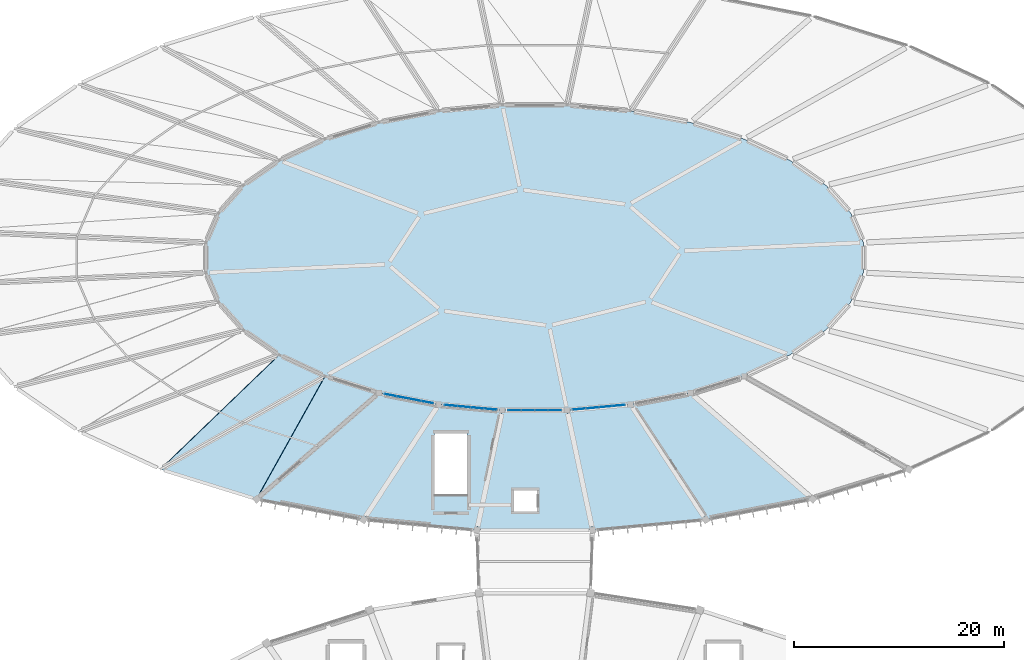
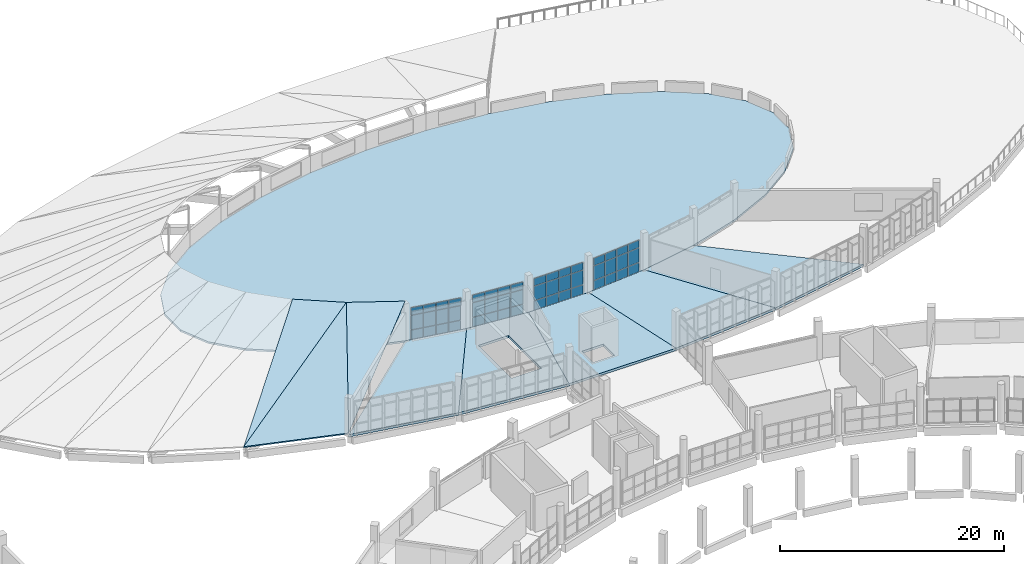
# One storey, part 84 of 142: 48 plates, 9 slabs, 4 elements without a shape of their own.
"""IFC4 building model written with IfcOpenShell, lengths in metres."""

from ifc_helpers import new_model, si_unit, direction, frame, origin, origin_2d, place, context, subcontext, project, spatial, polyline, rectangle, outline, extrude, material, layer, layer_set, type_object, element, aggregate, save


model = new_model("IFC4")

# Units and contexts
model_context = context("Model", 3, precision=1e-05, world=origin(), true_north=direction((0.0, 1.0)))
body_context = subcontext(model_context, "Body", "Model", "MODEL_VIEW")
ifc_project = project(units=[si_unit("LENGTHUNIT", "METRE"), si_unit("AREAUNIT", "SQUARE_METRE"), si_unit("VOLUMEUNIT", "CUBIC_METRE"), si_unit("PLANEANGLEUNIT", "RADIAN"), si_unit("MASSUNIT", "GRAM", prefix="KILO")], contexts=[model_context])

# Site, building, storey
site_placement = place(None, origin())
site = spatial("IfcSite", under=ifc_project, at=site_placement, CompositionType="ELEMENT")
building_placement = place(site_placement, origin())
building = spatial("IfcBuilding", under=site, at=building_placement, Name="Corvandel Quay Wholesale Market", CompositionType="ELEMENT")
storey_placement = place(building_placement, frame((0.0, 0.0, 10.800048828125)))
storey = spatial("IfcBuildingStorey", under=building, at=storey_placement, Name="L02", CompositionType="ELEMENT", Elevation=10.800048828125)

# Curtain wall, plates
ifc_material_1 = material(Name="Bronze anodised aluminium and low-E insulated glazing", Category="aluminium")
ifc_layer_1 = layer(ifc_material_1, 0.174072265625)
ifc_layer_set_1 = layer_set([ifc_layer_1], Name="Bronze anodised aluminium and low-E insulated glazing")
curtain_wall_type_1 = type_object("IfcCurtainWallType", Name="Stick Curtain Wall System CW07 H3630", PredefinedType="NOTDEFINED", material=ifc_layer_set_1)
curtain_wall_1_placement = place(storey_placement, origin())
curtain_wall_1 = element("IfcCurtainWall", 1, at=curtain_wall_1_placement, inside=storey, type_object=curtain_wall_type_1, Name="Curtain Wall CW-0111", PredefinedType="NOTDEFINED")
ifc_material_2 = material(Name="Solar-control low-E insulated glazing", Category="glass")
ifc_layer_2 = layer(ifc_material_2, 0.0400390625)
ifc_layer_set_2 = layer_set([ifc_layer_2], Name="Solar-control low-E insulated glazing")
plate_type_1 = type_object("IfcPlateType", Name="Ceramic Fritted Spandrel Panel PN03 40mm", PredefinedType="CURTAIN_PANEL", material=ifc_layer_set_2)
plate_1_placement = place(storey_placement, frame((100.248779296875, 102.884765625, 2.679931640625), z_axis=(0.0, 0.0, 1.0), x_axis=(-0.982024659632, 0.188752663223, 0.0)))
plate_1 = element("IfcPlate", 2, at=plate_1_placement, type_object=plate_type_1, Name="Glazing Panel CW-0111-P00-2", PredefinedType="CURTAIN_PANEL", context=body_context, shape_type="SweptSolid", body=[
    extrude(rectangle(XDim=1.123046875, YDim=0.0400390625, at=origin_2d()), origin(), (0.0, 0.0, 1.0), 0.7900390625),
])
plate_2_placement = place(storey_placement, frame((101.41552734375, 102.66064453125, 2.679931640625), z_axis=(0.0, 0.0, 1.0), x_axis=(-0.982024659632, 0.188752663223, 0.0)))
plate_2 = element("IfcPlate", 3, at=plate_2_placement, type_object=plate_type_1, Name="Glazing Panel CW-0111-P01-2", PredefinedType="CURTAIN_PANEL", context=body_context, shape_type="SweptSolid", body=[
    extrude(rectangle(XDim=1.123046875, YDim=0.0400390625, at=origin_2d()), origin(), (0.0, 0.0, 1.0), 0.7900390625),
])
plate_3_placement = place(storey_placement, frame((102.58251953125, 102.436279296875, 2.679931640625), z_axis=(0.0, 0.0, 1.0), x_axis=(-0.982024659632, 0.188752663223, 0.0)))
plate_3 = element("IfcPlate", 4, at=plate_3_placement, type_object=plate_type_1, Name="Glazing Panel CW-0111-P02-2", PredefinedType="CURTAIN_PANEL", context=body_context, shape_type="SweptSolid", body=[
    extrude(rectangle(XDim=1.123046875, YDim=0.0400390625, at=origin_2d()), origin(), (0.0, 0.0, 1.0), 0.7900390625),
])
plate_4_placement = place(storey_placement, frame((103.7490234375, 102.212158203125, 2.679931640625), z_axis=(0.0, 0.0, 1.0), x_axis=(-0.982024659632, 0.188752663223, 0.0)))
plate_4 = element("IfcPlate", 5, at=plate_4_placement, type_object=plate_type_1, Name="Glazing Panel CW-0111-P03-2", PredefinedType="CURTAIN_PANEL", context=body_context, shape_type="SweptSolid", body=[
    extrude(rectangle(XDim=1.123046875, YDim=0.0400390625, at=origin_2d()), origin(), (0.0, 0.0, 1.0), 0.7900390625),
])

ifc_layer_3 = layer(ifc_material_1, 0.18603515625)
ifc_layer_set_3 = layer_set([ifc_layer_3], Name="Bronze anodised aluminium and low-E insulated glazing")
curtain_wall_type_2 = type_object("IfcCurtainWallType", Name="Stick Curtain Wall System CW08 H3720", PredefinedType="NOTDEFINED", material=ifc_layer_set_3)
curtain_wall_2_placement = place(storey_placement, origin())
curtain_wall_2 = element("IfcCurtainWall", 6, at=curtain_wall_2_placement, inside=storey, type_object=curtain_wall_type_2, Name="Curtain Wall CW-0114", PredefinedType="NOTDEFINED")
plate_5_placement = place(storey_placement, frame((106.006103515625, 101.893310546875, 2.679931640625), z_axis=(0.0, 0.0, 1.0), x_axis=(-0.995756880939, 0.092023008338, 0.0)))
plate_5 = element("IfcPlate", 7, at=plate_5_placement, type_object=plate_type_1, Name="Glazing Panel CW-0114-P00-2", PredefinedType="CURTAIN_PANEL", context=body_context, shape_type="SweptSolid", body=[
    extrude(rectangle(XDim=1.19091796875, YDim=0.0400390625, at=origin_2d()), origin(), (0.0, 0.0, 1.0), 0.7900390625),
])
plate_6_placement = place(storey_placement, frame((107.256591796875, 101.77783203125, 2.679931640625), z_axis=(0.0, 0.0, 1.0), x_axis=(-0.995756880939, 0.092023008338, 0.0)))
plate_6 = element("IfcPlate", 8, at=plate_6_placement, type_object=plate_type_1, Name="Glazing Panel CW-0114-P01-2", PredefinedType="CURTAIN_PANEL", context=body_context, shape_type="SweptSolid", body=[
    extrude(rectangle(XDim=1.19091796875, YDim=0.0400390625, at=origin_2d()), origin(), (0.0, 0.0, 1.0), 0.7900390625),
])
plate_7_placement = place(storey_placement, frame((108.50732421875, 101.662109375, 2.679931640625), z_axis=(0.0, 0.0, 1.0), x_axis=(-0.995756880939, 0.092023008338, 0.0)))
plate_7 = element("IfcPlate", 9, at=plate_7_placement, type_object=plate_type_1, Name="Glazing Panel CW-0114-P02-2", PredefinedType="CURTAIN_PANEL", context=body_context, shape_type="SweptSolid", body=[
    extrude(rectangle(XDim=1.19091796875, YDim=0.0400390625, at=origin_2d()), origin(), (0.0, 0.0, 1.0), 0.7900390625),
])
plate_8_placement = place(storey_placement, frame((109.758056640625, 101.546630859375, 2.679931640625), z_axis=(0.0, 0.0, 1.0), x_axis=(-0.995756880939, 0.092023008338, 0.0)))
plate_8 = element("IfcPlate", 10, at=plate_8_placement, type_object=plate_type_1, Name="Glazing Panel CW-0114-P03-2", PredefinedType="CURTAIN_PANEL", context=body_context, shape_type="SweptSolid", body=[
    extrude(rectangle(XDim=1.19091796875, YDim=0.0400390625, at=origin_2d()), origin(), (0.0, 0.0, 1.0), 0.7900390625),
])

ifc_layer_4 = layer(ifc_material_1, 0.197998046875)
ifc_layer_set_4 = layer_set([ifc_layer_4], Name="Bronze anodised aluminium and low-E insulated glazing")
curtain_wall_type_3 = type_object("IfcCurtainWallType", Name="Stick Curtain Wall System CW09 H3810", PredefinedType="NOTDEFINED", material=ifc_layer_set_4)
curtain_wall_3_placement = place(storey_placement, origin())
curtain_wall_3 = element("IfcCurtainWall", 11, at=curtain_wall_3_placement, inside=storey, type_object=curtain_wall_type_3, Name="Curtain Wall CW-0115", PredefinedType="NOTDEFINED")
plate_9_placement = place(storey_placement, frame((112.080810546875, 101.43994140625, 2.679931640625), z_axis=(0.0, 0.0, 1.0), x_axis=(1.0, 0.0, 0.0)))
plate_9 = element("IfcPlate", 12, at=plate_9_placement, type_object=plate_type_1, Name="Glazing Panel CW-0115-P00-2", PredefinedType="CURTAIN_PANEL", context=body_context, shape_type="SweptSolid", body=[
    extrude(rectangle(XDim=1.214599609375, YDim=0.0400390625, at=origin_2d()), origin(), (0.0, 0.0, 1.0), 0.7900390625),
])
plate_10_placement = place(storey_placement, frame((113.3603515625, 101.43994140625, 2.679931640625), z_axis=(0.0, 0.0, 1.0), x_axis=(1.0, 0.0, 0.0)))
plate_10 = element("IfcPlate", 13, at=plate_10_placement, type_object=plate_type_1, Name="Glazing Panel CW-0115-P01-2", PredefinedType="CURTAIN_PANEL", context=body_context, shape_type="SweptSolid", body=[
    extrude(rectangle(XDim=1.214599609375, YDim=0.0400390625, at=origin_2d()), origin(), (0.0, 0.0, 1.0), 0.7900390625),
])
plate_11_placement = place(storey_placement, frame((114.6396484375, 101.43994140625, 2.679931640625), z_axis=(0.0, 0.0, 1.0), x_axis=(1.0, 0.0, 0.0)))
plate_11 = element("IfcPlate", 14, at=plate_11_placement, type_object=plate_type_1, Name="Glazing Panel CW-0115-P02-2", PredefinedType="CURTAIN_PANEL", context=body_context, shape_type="SweptSolid", body=[
    extrude(rectangle(XDim=1.214599609375, YDim=0.0400390625, at=origin_2d()), origin(), (0.0, 0.0, 1.0), 0.7900390625),
])
plate_12_placement = place(storey_placement, frame((115.919189453125, 101.43994140625, 2.679931640625), z_axis=(0.0, 0.0, 1.0), x_axis=(1.0, 0.0, 0.0)))
plate_12 = element("IfcPlate", 15, at=plate_12_placement, type_object=plate_type_1, Name="Glazing Panel CW-0115-P03-2", PredefinedType="CURTAIN_PANEL", context=body_context, shape_type="SweptSolid", body=[
    extrude(rectangle(XDim=1.214599609375, YDim=0.0400390625, at=origin_2d()), origin(), (0.0, 0.0, 1.0), 0.7900390625),
])

ifc_layer_5 = layer(ifc_material_1, 0.14990234375)
ifc_layer_set_5 = layer_set([ifc_layer_5], Name="Bronze anodised aluminium and low-E insulated glazing")
curtain_wall_type_4 = type_object("IfcCurtainWallType", Name="Stick Curtain Wall System CW10 H3900", PredefinedType="NOTDEFINED", material=ifc_layer_set_5)
curtain_wall_4_placement = place(storey_placement, origin())
curtain_wall_4 = element("IfcCurtainWall", 16, at=curtain_wall_4_placement, inside=storey, type_object=curtain_wall_type_4, Name="Curtain Wall CW-0118", PredefinedType="NOTDEFINED")
plate_13_placement = place(storey_placement, frame((118.241943359375, 101.546630859375, 2.679931640625), z_axis=(0.0, 0.0, 1.0), x_axis=(0.995756880939, 0.092023008338, 0.0)))
plate_13 = element("IfcPlate", 17, at=plate_13_placement, type_object=plate_type_1, Name="Glazing Panel CW-0118-P00-2", PredefinedType="CURTAIN_PANEL", context=body_context, shape_type="SweptSolid", body=[
    extrude(rectangle(XDim=1.19091796875, YDim=0.0400390625, at=origin_2d()), origin(), (0.0, 0.0, 1.0), 0.7900390625),
])
plate_14_placement = place(storey_placement, frame((119.49267578125, 101.662109375, 2.679931640625), z_axis=(0.0, 0.0, 1.0), x_axis=(0.995756880939, 0.092023008338, 0.0)))
plate_14 = element("IfcPlate", 18, at=plate_14_placement, type_object=plate_type_1, Name="Glazing Panel CW-0118-P01-2", PredefinedType="CURTAIN_PANEL", context=body_context, shape_type="SweptSolid", body=[
    extrude(rectangle(XDim=1.19091796875, YDim=0.0400390625, at=origin_2d()), origin(), (0.0, 0.0, 1.0), 0.7900390625),
])
plate_15_placement = place(storey_placement, frame((120.743408203125, 101.77783203125, 2.679931640625), z_axis=(0.0, 0.0, 1.0), x_axis=(0.995756880939, 0.092023008338, 0.0)))
plate_15 = element("IfcPlate", 19, at=plate_15_placement, type_object=plate_type_1, Name="Glazing Panel CW-0118-P02-2", PredefinedType="CURTAIN_PANEL", context=body_context, shape_type="SweptSolid", body=[
    extrude(rectangle(XDim=1.19091796875, YDim=0.0400390625, at=origin_2d()), origin(), (0.0, 0.0, 1.0), 0.7900390625),
])
plate_16_placement = place(storey_placement, frame((121.993896484375, 101.893310546875, 2.679931640625), z_axis=(0.0, 0.0, 1.0), x_axis=(0.995756880939, 0.092023008338, 0.0)))
plate_16 = element("IfcPlate", 20, at=plate_16_placement, type_object=plate_type_1, Name="Glazing Panel CW-0118-P03-2", PredefinedType="CURTAIN_PANEL", context=body_context, shape_type="SweptSolid", body=[
    extrude(rectangle(XDim=1.19091796875, YDim=0.0400390625, at=origin_2d()), origin(), (0.0, 0.0, 1.0), 0.7900390625),
])

# Slabs
ifc_material_3 = material(Name="Concrete C40/50", Category="concrete")
ifc_layer_6 = layer(ifc_material_3, 0.260009765625)
ifc_layer_set_6 = layer_set([ifc_layer_6], Name="Concrete C40/50")
slab_type_1 = type_object("IfcSlabType", Name="Composite Market Canteen Floor Slab 260", PredefinedType="FLOOR", material=ifc_layer_set_6)
slab_1_placement = place(storey_placement, frame((0.0, 0.0, -0.260009765625)))
element("IfcSlab", 21, at=slab_1_placement, inside=storey, type_object=slab_type_1, Name="Slab SLB-0328", PredefinedType="FLOOR", context=body_context, shape_type="SweptSolid", body=[
    extrude(outline(polyline([(99.14501953125, 103.096923828125), (104.85302734375, 102.0), (97.6650390625, 90.9990234375), (87.47412109375, 92.958984375), (99.14501953125, 103.096923828125)])), origin(), (0.0, 0.0, 1.0), 0.260009765625),
])
slab_2_placement = place(storey_placement, frame((0.0, 0.0, -0.260009765625)))
element("IfcSlab", 22, at=slab_2_placement, inside=storey, type_object=slab_type_1, Name="Slab SLB-0334", PredefinedType="FLOOR", context=body_context, shape_type="SweptSolid", body=[
    extrude(outline(polyline([(104.85302734375, 102.0), (110.910888671875, 101.43994140625), (108.48388671875, 90.0), (97.6650390625, 90.9990234375), (104.85302734375, 102.0)]), holes=[polyline([(107.550048828125, 99.199951171875), (104.449951171875, 99.199951171875), (104.449951171875, 93.300048828125), (107.550048828125, 93.300048828125), (107.550048828125, 99.199951171875)])]), origin(), (0.0, 0.0, 1.0), 0.260009765625),
])
slab_3_placement = place(storey_placement, frame((0.0, 0.0, -0.260009765625)))
element("IfcSlab", 23, at=slab_3_placement, inside=storey, type_object=slab_type_1, Name="Slab SLB-0340", PredefinedType="FLOOR", context=body_context, shape_type="SweptSolid", body=[
    extrude(outline(polyline([(110.910888671875, 101.43994140625), (117.089111328125, 101.43994140625), (119.51611328125, 90.0), (108.48388671875, 90.0), (110.910888671875, 101.43994140625)]), holes=[polyline([(114.199951171875, 93.800048828125), (112.0, 93.800048828125), (112.0, 91.800048828125), (114.199951171875, 91.800048828125), (114.199951171875, 93.800048828125)])]), origin(), (0.0, 0.0, 1.0), 0.260009765625),
])
slab_4_placement = place(storey_placement, frame((0.0, 0.0, -0.260009765625)))
element("IfcSlab", 24, at=slab_4_placement, inside=storey, type_object=slab_type_1, Name="Slab SLB-0346", PredefinedType="FLOOR", context=body_context, shape_type="SweptSolid", body=[
    extrude(outline(polyline([(117.089111328125, 101.43994140625), (123.14697265625, 102.0), (130.3349609375, 90.9990234375), (119.51611328125, 90.0), (117.089111328125, 101.43994140625)])), origin(), (0.0, 0.0, 1.0), 0.260009765625),
])
slab_5_placement = place(storey_placement, frame((0.0, 0.0, -0.260009765625)))
element("IfcSlab", 25, at=slab_5_placement, inside=storey, type_object=slab_type_1, Name="Slab SLB-0352", PredefinedType="FLOOR", context=body_context, shape_type="SweptSolid", body=[
    extrude(outline(polyline([(123.14697265625, 102.0), (128.85498046875, 103.096923828125), (140.52587890625, 92.958984375), (130.3349609375, 90.9990234375), (123.14697265625, 102.0)])), origin(), (0.0, 0.0, 1.0), 0.260009765625),
])

# Plate
ifc_layer_7 = layer(ifc_material_2, 0.028076171875)
ifc_layer_set_7 = layer_set([ifc_layer_7], Name="Solar-control low-E insulated glazing")
plate_type_2 = type_object("IfcPlateType", Name="Double Low-E Vision Panel PN01 28mm", PredefinedType="CURTAIN_PANEL", material=ifc_layer_set_7)
plate_17_placement = place(storey_placement, frame((100.248779296875, 102.884765625, 0.02978515625), z_axis=(0.0, 0.0, 1.0), x_axis=(-0.982024659632, 0.188752663223, 0.0)))
plate_17 = element("IfcPlate", 26, at=plate_17_placement, type_object=plate_type_2, Name="Glazing Panel CW-0111-P00-0", PredefinedType="CURTAIN_PANEL", context=body_context, shape_type="SweptSolid", body=[
    extrude(rectangle(XDim=1.123046875, YDim=0.028076171875, at=origin_2d()), origin(), (0.0, 0.0, 1.0), 0.989990234375),
])

plate_18_placement = place(storey_placement, frame((100.248779296875, 102.884765625, 1.079833984375), z_axis=(0.0, 0.0, 1.0), x_axis=(-0.982024659632, 0.188752663223, 0.0)))
plate_18 = element("IfcPlate", 27, at=plate_18_placement, type_object=plate_type_2, Name="Glazing Panel CW-0111-P00-1", PredefinedType="CURTAIN_PANEL", context=body_context, shape_type="SweptSolid", body=[
    extrude(rectangle(XDim=1.123046875, YDim=0.028076171875, at=origin_2d()), origin(), (0.0, 0.0, 1.0), 1.5400390625),
])

plate_19_placement = place(storey_placement, frame((101.41552734375, 102.66064453125, 0.02978515625), z_axis=(0.0, 0.0, 1.0), x_axis=(-0.982024659632, 0.188752663223, 0.0)))
plate_19 = element("IfcPlate", 28, at=plate_19_placement, type_object=plate_type_2, Name="Glazing Panel CW-0111-P01-0", PredefinedType="CURTAIN_PANEL", context=body_context, shape_type="SweptSolid", body=[
    extrude(rectangle(XDim=1.123046875, YDim=0.028076171875, at=origin_2d()), origin(), (0.0, 0.0, 1.0), 0.989990234375),
])

plate_20_placement = place(storey_placement, frame((101.41552734375, 102.66064453125, 1.079833984375), z_axis=(0.0, 0.0, 1.0), x_axis=(-0.982024659632, 0.188752663223, 0.0)))
plate_20 = element("IfcPlate", 29, at=plate_20_placement, type_object=plate_type_2, Name="Glazing Panel CW-0111-P01-1", PredefinedType="CURTAIN_PANEL", context=body_context, shape_type="SweptSolid", body=[
    extrude(rectangle(XDim=1.123046875, YDim=0.028076171875, at=origin_2d()), origin(), (0.0, 0.0, 1.0), 1.5400390625),
])

plate_21_placement = place(storey_placement, frame((102.58251953125, 102.436279296875, 0.02978515625), z_axis=(0.0, 0.0, 1.0), x_axis=(-0.982024659632, 0.188752663223, 0.0)))
plate_21 = element("IfcPlate", 30, at=plate_21_placement, type_object=plate_type_2, Name="Glazing Panel CW-0111-P02-0", PredefinedType="CURTAIN_PANEL", context=body_context, shape_type="SweptSolid", body=[
    extrude(rectangle(XDim=1.123046875, YDim=0.028076171875, at=origin_2d()), origin(), (0.0, 0.0, 1.0), 0.989990234375),
])

plate_22_placement = place(storey_placement, frame((102.58251953125, 102.436279296875, 1.079833984375), z_axis=(0.0, 0.0, 1.0), x_axis=(-0.982024659632, 0.188752663223, 0.0)))
plate_22 = element("IfcPlate", 31, at=plate_22_placement, type_object=plate_type_2, Name="Glazing Panel CW-0111-P02-1", PredefinedType="CURTAIN_PANEL", context=body_context, shape_type="SweptSolid", body=[
    extrude(rectangle(XDim=1.123046875, YDim=0.028076171875, at=origin_2d()), origin(), (0.0, 0.0, 1.0), 1.5400390625),
])

plate_23_placement = place(storey_placement, frame((103.7490234375, 102.212158203125, 0.02978515625), z_axis=(0.0, 0.0, 1.0), x_axis=(-0.982024659632, 0.188752663223, 0.0)))
plate_23 = element("IfcPlate", 32, at=plate_23_placement, type_object=plate_type_2, Name="Glazing Panel CW-0111-P03-0", PredefinedType="CURTAIN_PANEL", context=body_context, shape_type="SweptSolid", body=[
    extrude(rectangle(XDim=1.123046875, YDim=0.028076171875, at=origin_2d()), origin(), (0.0, 0.0, 1.0), 0.989990234375),
])

plate_24_placement = place(storey_placement, frame((103.7490234375, 102.212158203125, 1.079833984375), z_axis=(0.0, 0.0, 1.0), x_axis=(-0.982024659632, 0.188752663223, 0.0)))
plate_24 = element("IfcPlate", 33, at=plate_24_placement, type_object=plate_type_2, Name="Glazing Panel CW-0111-P03-1", PredefinedType="CURTAIN_PANEL", context=body_context, shape_type="SweptSolid", body=[
    extrude(rectangle(XDim=1.123046875, YDim=0.028076171875, at=origin_2d()), origin(), (0.0, 0.0, 1.0), 1.5400390625),
])

aggregate(curtain_wall_1, [plate_17, plate_18, plate_1, plate_19, plate_20, plate_2, plate_21, plate_22, plate_3, plate_23, plate_24, plate_4])

plate_25_placement = place(storey_placement, frame((106.006103515625, 101.893310546875, 0.02978515625), z_axis=(0.0, 0.0, 1.0), x_axis=(-0.995756880939, 0.092023008338, 0.0)))
plate_25 = element("IfcPlate", 34, at=plate_25_placement, type_object=plate_type_2, Name="Glazing Panel CW-0114-P00-0", PredefinedType="CURTAIN_PANEL", context=body_context, shape_type="SweptSolid", body=[
    extrude(rectangle(XDim=1.19091796875, YDim=0.028076171875, at=origin_2d()), origin(), (0.0, 0.0, 1.0), 0.989990234375),
])

plate_26_placement = place(storey_placement, frame((106.006103515625, 101.893310546875, 1.079833984375), z_axis=(0.0, 0.0, 1.0), x_axis=(-0.995756880939, 0.092023008338, 0.0)))
plate_26 = element("IfcPlate", 35, at=plate_26_placement, type_object=plate_type_2, Name="Glazing Panel CW-0114-P00-1", PredefinedType="CURTAIN_PANEL", context=body_context, shape_type="SweptSolid", body=[
    extrude(rectangle(XDim=1.19091796875, YDim=0.028076171875, at=origin_2d()), origin(), (0.0, 0.0, 1.0), 1.5400390625),
])

plate_27_placement = place(storey_placement, frame((107.256591796875, 101.77783203125, 0.02978515625), z_axis=(0.0, 0.0, 1.0), x_axis=(-0.995756880939, 0.092023008338, 0.0)))
plate_27 = element("IfcPlate", 36, at=plate_27_placement, type_object=plate_type_2, Name="Glazing Panel CW-0114-P01-0", PredefinedType="CURTAIN_PANEL", context=body_context, shape_type="SweptSolid", body=[
    extrude(rectangle(XDim=1.19091796875, YDim=0.028076171875, at=origin_2d()), origin(), (0.0, 0.0, 1.0), 0.989990234375),
])

plate_28_placement = place(storey_placement, frame((107.256591796875, 101.77783203125, 1.079833984375), z_axis=(0.0, 0.0, 1.0), x_axis=(-0.995756880939, 0.092023008338, 0.0)))
plate_28 = element("IfcPlate", 37, at=plate_28_placement, type_object=plate_type_2, Name="Glazing Panel CW-0114-P01-1", PredefinedType="CURTAIN_PANEL", context=body_context, shape_type="SweptSolid", body=[
    extrude(rectangle(XDim=1.19091796875, YDim=0.028076171875, at=origin_2d()), origin(), (0.0, 0.0, 1.0), 1.5400390625),
])

plate_29_placement = place(storey_placement, frame((108.50732421875, 101.662109375, 0.02978515625), z_axis=(0.0, 0.0, 1.0), x_axis=(-0.995756880939, 0.092023008338, 0.0)))
plate_29 = element("IfcPlate", 38, at=plate_29_placement, type_object=plate_type_2, Name="Glazing Panel CW-0114-P02-0", PredefinedType="CURTAIN_PANEL", context=body_context, shape_type="SweptSolid", body=[
    extrude(rectangle(XDim=1.19091796875, YDim=0.028076171875, at=origin_2d()), origin(), (0.0, 0.0, 1.0), 0.989990234375),
])

plate_30_placement = place(storey_placement, frame((108.50732421875, 101.662109375, 1.079833984375), z_axis=(0.0, 0.0, 1.0), x_axis=(-0.995756880939, 0.092023008338, 0.0)))
plate_30 = element("IfcPlate", 39, at=plate_30_placement, type_object=plate_type_2, Name="Glazing Panel CW-0114-P02-1", PredefinedType="CURTAIN_PANEL", context=body_context, shape_type="SweptSolid", body=[
    extrude(rectangle(XDim=1.19091796875, YDim=0.028076171875, at=origin_2d()), origin(), (0.0, 0.0, 1.0), 1.5400390625),
])

plate_31_placement = place(storey_placement, frame((109.758056640625, 101.546630859375, 0.02978515625), z_axis=(0.0, 0.0, 1.0), x_axis=(-0.995756880939, 0.092023008338, 0.0)))
plate_31 = element("IfcPlate", 40, at=plate_31_placement, type_object=plate_type_2, Name="Glazing Panel CW-0114-P03-0", PredefinedType="CURTAIN_PANEL", context=body_context, shape_type="SweptSolid", body=[
    extrude(rectangle(XDim=1.19091796875, YDim=0.028076171875, at=origin_2d()), origin(), (0.0, 0.0, 1.0), 0.989990234375),
])

plate_32_placement = place(storey_placement, frame((109.758056640625, 101.546630859375, 1.079833984375), z_axis=(0.0, 0.0, 1.0), x_axis=(-0.995756880939, 0.092023008338, 0.0)))
plate_32 = element("IfcPlate", 41, at=plate_32_placement, type_object=plate_type_2, Name="Glazing Panel CW-0114-P03-1", PredefinedType="CURTAIN_PANEL", context=body_context, shape_type="SweptSolid", body=[
    extrude(rectangle(XDim=1.19091796875, YDim=0.028076171875, at=origin_2d()), origin(), (0.0, 0.0, 1.0), 1.5400390625),
])

aggregate(curtain_wall_2, [plate_25, plate_26, plate_5, plate_27, plate_28, plate_6, plate_29, plate_30, plate_7, plate_31, plate_32, plate_8])

plate_33_placement = place(storey_placement, frame((112.080810546875, 101.43994140625, 0.02978515625), z_axis=(0.0, 0.0, 1.0), x_axis=(1.0, 0.0, 0.0)))
plate_33 = element("IfcPlate", 42, at=plate_33_placement, type_object=plate_type_2, Name="Glazing Panel CW-0115-P00-0", PredefinedType="CURTAIN_PANEL", context=body_context, shape_type="SweptSolid", body=[
    extrude(rectangle(XDim=1.214599609375, YDim=0.028076171875, at=origin_2d()), origin(), (0.0, 0.0, 1.0), 0.989990234375),
])

plate_34_placement = place(storey_placement, frame((112.080810546875, 101.43994140625, 1.079833984375), z_axis=(0.0, 0.0, 1.0), x_axis=(1.0, 0.0, 0.0)))
plate_34 = element("IfcPlate", 43, at=plate_34_placement, type_object=plate_type_2, Name="Glazing Panel CW-0115-P00-1", PredefinedType="CURTAIN_PANEL", context=body_context, shape_type="SweptSolid", body=[
    extrude(rectangle(XDim=1.214599609375, YDim=0.028076171875, at=origin_2d()), origin(), (0.0, 0.0, 1.0), 1.5400390625),
])

plate_35_placement = place(storey_placement, frame((113.3603515625, 101.43994140625, 0.02978515625), z_axis=(0.0, 0.0, 1.0), x_axis=(1.0, 0.0, 0.0)))
plate_35 = element("IfcPlate", 44, at=plate_35_placement, type_object=plate_type_2, Name="Glazing Panel CW-0115-P01-0", PredefinedType="CURTAIN_PANEL", context=body_context, shape_type="SweptSolid", body=[
    extrude(rectangle(XDim=1.214599609375, YDim=0.028076171875, at=origin_2d()), origin(), (0.0, 0.0, 1.0), 0.989990234375),
])

plate_36_placement = place(storey_placement, frame((113.3603515625, 101.43994140625, 1.079833984375), z_axis=(0.0, 0.0, 1.0), x_axis=(1.0, 0.0, 0.0)))
plate_36 = element("IfcPlate", 45, at=plate_36_placement, type_object=plate_type_2, Name="Glazing Panel CW-0115-P01-1", PredefinedType="CURTAIN_PANEL", context=body_context, shape_type="SweptSolid", body=[
    extrude(rectangle(XDim=1.214599609375, YDim=0.028076171875, at=origin_2d()), origin(), (0.0, 0.0, 1.0), 1.5400390625),
])

plate_37_placement = place(storey_placement, frame((114.6396484375, 101.43994140625, 0.02978515625), z_axis=(0.0, 0.0, 1.0), x_axis=(1.0, 0.0, 0.0)))
plate_37 = element("IfcPlate", 46, at=plate_37_placement, type_object=plate_type_2, Name="Glazing Panel CW-0115-P02-0", PredefinedType="CURTAIN_PANEL", context=body_context, shape_type="SweptSolid", body=[
    extrude(rectangle(XDim=1.214599609375, YDim=0.028076171875, at=origin_2d()), origin(), (0.0, 0.0, 1.0), 0.989990234375),
])

plate_38_placement = place(storey_placement, frame((114.6396484375, 101.43994140625, 1.079833984375), z_axis=(0.0, 0.0, 1.0), x_axis=(1.0, 0.0, 0.0)))
plate_38 = element("IfcPlate", 47, at=plate_38_placement, type_object=plate_type_2, Name="Glazing Panel CW-0115-P02-1", PredefinedType="CURTAIN_PANEL", context=body_context, shape_type="SweptSolid", body=[
    extrude(rectangle(XDim=1.214599609375, YDim=0.028076171875, at=origin_2d()), origin(), (0.0, 0.0, 1.0), 1.5400390625),
])

plate_39_placement = place(storey_placement, frame((115.919189453125, 101.43994140625, 0.02978515625), z_axis=(0.0, 0.0, 1.0), x_axis=(1.0, 0.0, 0.0)))
plate_39 = element("IfcPlate", 48, at=plate_39_placement, type_object=plate_type_2, Name="Glazing Panel CW-0115-P03-0", PredefinedType="CURTAIN_PANEL", context=body_context, shape_type="SweptSolid", body=[
    extrude(rectangle(XDim=1.214599609375, YDim=0.028076171875, at=origin_2d()), origin(), (0.0, 0.0, 1.0), 0.989990234375),
])

plate_40_placement = place(storey_placement, frame((115.919189453125, 101.43994140625, 1.079833984375), z_axis=(0.0, 0.0, 1.0), x_axis=(1.0, 0.0, 0.0)))
plate_40 = element("IfcPlate", 49, at=plate_40_placement, type_object=plate_type_2, Name="Glazing Panel CW-0115-P03-1", PredefinedType="CURTAIN_PANEL", context=body_context, shape_type="SweptSolid", body=[
    extrude(rectangle(XDim=1.214599609375, YDim=0.028076171875, at=origin_2d()), origin(), (0.0, 0.0, 1.0), 1.5400390625),
])

aggregate(curtain_wall_3, [plate_33, plate_34, plate_9, plate_35, plate_36, plate_10, plate_37, plate_38, plate_11, plate_39, plate_40, plate_12])

plate_41_placement = place(storey_placement, frame((118.241943359375, 101.546630859375, 0.02978515625), z_axis=(0.0, 0.0, 1.0), x_axis=(0.995756880939, 0.092023008338, 0.0)))
plate_41 = element("IfcPlate", 50, at=plate_41_placement, type_object=plate_type_2, Name="Glazing Panel CW-0118-P00-0", PredefinedType="CURTAIN_PANEL", context=body_context, shape_type="SweptSolid", body=[
    extrude(rectangle(XDim=1.19091796875, YDim=0.028076171875, at=origin_2d()), origin(), (0.0, 0.0, 1.0), 0.989990234375),
])

plate_42_placement = place(storey_placement, frame((118.241943359375, 101.546630859375, 1.079833984375), z_axis=(0.0, 0.0, 1.0), x_axis=(0.995756880939, 0.092023008338, 0.0)))
plate_42 = element("IfcPlate", 51, at=plate_42_placement, type_object=plate_type_2, Name="Glazing Panel CW-0118-P00-1", PredefinedType="CURTAIN_PANEL", context=body_context, shape_type="SweptSolid", body=[
    extrude(rectangle(XDim=1.19091796875, YDim=0.028076171875, at=origin_2d()), origin(), (0.0, 0.0, 1.0), 1.5400390625),
])

plate_43_placement = place(storey_placement, frame((119.49267578125, 101.662109375, 0.02978515625), z_axis=(0.0, 0.0, 1.0), x_axis=(0.995756880939, 0.092023008338, 0.0)))
plate_43 = element("IfcPlate", 52, at=plate_43_placement, type_object=plate_type_2, Name="Glazing Panel CW-0118-P01-0", PredefinedType="CURTAIN_PANEL", context=body_context, shape_type="SweptSolid", body=[
    extrude(rectangle(XDim=1.19091796875, YDim=0.028076171875, at=origin_2d()), origin(), (0.0, 0.0, 1.0), 0.989990234375),
])

plate_44_placement = place(storey_placement, frame((119.49267578125, 101.662109375, 1.079833984375), z_axis=(0.0, 0.0, 1.0), x_axis=(0.995756880939, 0.092023008338, 0.0)))
plate_44 = element("IfcPlate", 53, at=plate_44_placement, type_object=plate_type_2, Name="Glazing Panel CW-0118-P01-1", PredefinedType="CURTAIN_PANEL", context=body_context, shape_type="SweptSolid", body=[
    extrude(rectangle(XDim=1.19091796875, YDim=0.028076171875, at=origin_2d()), origin(), (0.0, 0.0, 1.0), 1.5400390625),
])

plate_45_placement = place(storey_placement, frame((120.743408203125, 101.77783203125, 0.02978515625), z_axis=(0.0, 0.0, 1.0), x_axis=(0.995756880939, 0.092023008338, 0.0)))
plate_45 = element("IfcPlate", 54, at=plate_45_placement, type_object=plate_type_2, Name="Glazing Panel CW-0118-P02-0", PredefinedType="CURTAIN_PANEL", context=body_context, shape_type="SweptSolid", body=[
    extrude(rectangle(XDim=1.19091796875, YDim=0.028076171875, at=origin_2d()), origin(), (0.0, 0.0, 1.0), 0.989990234375),
])

plate_46_placement = place(storey_placement, frame((120.743408203125, 101.77783203125, 1.079833984375), z_axis=(0.0, 0.0, 1.0), x_axis=(0.995756880939, 0.092023008338, 0.0)))
plate_46 = element("IfcPlate", 55, at=plate_46_placement, type_object=plate_type_2, Name="Glazing Panel CW-0118-P02-1", PredefinedType="CURTAIN_PANEL", context=body_context, shape_type="SweptSolid", body=[
    extrude(rectangle(XDim=1.19091796875, YDim=0.028076171875, at=origin_2d()), origin(), (0.0, 0.0, 1.0), 1.5400390625),
])

plate_47_placement = place(storey_placement, frame((121.993896484375, 101.893310546875, 0.02978515625), z_axis=(0.0, 0.0, 1.0), x_axis=(0.995756880939, 0.092023008338, 0.0)))
plate_47 = element("IfcPlate", 56, at=plate_47_placement, type_object=plate_type_2, Name="Glazing Panel CW-0118-P03-0", PredefinedType="CURTAIN_PANEL", context=body_context, shape_type="SweptSolid", body=[
    extrude(rectangle(XDim=1.19091796875, YDim=0.028076171875, at=origin_2d()), origin(), (0.0, 0.0, 1.0), 0.989990234375),
])

plate_48_placement = place(storey_placement, frame((121.993896484375, 101.893310546875, 1.079833984375), z_axis=(0.0, 0.0, 1.0), x_axis=(0.995756880939, 0.092023008338, 0.0)))
plate_48 = element("IfcPlate", 57, at=plate_48_placement, type_object=plate_type_2, Name="Glazing Panel CW-0118-P03-1", PredefinedType="CURTAIN_PANEL", context=body_context, shape_type="SweptSolid", body=[
    extrude(rectangle(XDim=1.19091796875, YDim=0.028076171875, at=origin_2d()), origin(), (0.0, 0.0, 1.0), 1.5400390625),
])

aggregate(curtain_wall_4, [plate_41, plate_42, plate_13, plate_43, plate_44, plate_14, plate_45, plate_46, plate_15, plate_47, plate_48, plate_16])

# Slabs
ifc_material_4 = material(Name="Precast concrete C45/55", Category="concrete")
ifc_layer_8 = layer(ifc_material_4, 0.199951171875)
ifc_layer_set_8 = layer_set([ifc_layer_8], Name="Precast concrete C45/55")
slab_type_2 = type_object("IfcSlabType", Name="Insulated Flat Precast Roof Slab 200", PredefinedType="ROOF", material=ifc_layer_set_8)
slab_6_placement = place(storey_placement, frame((0.0, 0.0, -0.199951171875)))
element("IfcSlab", 58, at=slab_6_placement, inside=storey, type_object=slab_type_2, Name="Slab SLB-0209", PredefinedType="ROOF", context=body_context, shape_type="SweptSolid", body=[
    extrude(outline(polyline([(145.360107421875, 117.43408203125), (144.155029296875, 120.2470703125), (141.791015625, 122.89697265625), (138.35888671875, 125.281005859375), (133.990966796875, 127.30908203125), (128.85498046875, 128.903076171875), (123.14697265625, 130.0), (117.089111328125, 130.56005859375), (110.910888671875, 130.56005859375), (104.85302734375, 130.0), (99.14501953125, 128.903076171875), (94.009033203125, 127.30908203125), (89.64111328125, 125.281005859375), (86.208984375, 122.89697265625), (83.844970703125, 120.2470703125), (82.639892578125, 117.43408203125), (82.639892578125, 114.56591796875), (83.844970703125, 111.7529296875), (86.208984375, 109.10302734375), (89.64111328125, 106.718994140625), (94.009033203125, 104.69091796875), (99.14501953125, 103.096923828125), (104.85302734375, 102.0), (110.910888671875, 101.43994140625), (117.089111328125, 101.43994140625), (123.14697265625, 102.0), (128.85498046875, 103.096923828125), (133.990966796875, 104.69091796875), (138.35888671875, 106.718994140625), (141.791015625, 109.10302734375), (144.155029296875, 111.7529296875), (145.360107421875, 114.56591796875), (145.360107421875, 117.43408203125)])), origin(), (0.0, 0.0, 1.0), 0.199951171875),
])
ifc_layer_9 = layer(ifc_material_3, 0.179931640625)
ifc_layer_set_9 = layer_set([ifc_layer_9], Name="Concrete C40/50")
slab_type_3 = type_object("IfcSlabType", Name="Sawtooth Clerestory Roof Slab 180", PredefinedType="ROOF", material=ifc_layer_set_9)
slab_7_placement = place(storey_placement, frame((78.302001953125, 95.803955078125, 0.179931640625), z_axis=(-0.051824397663, -0.405112621617, 0.912796798643), x_axis=(0.840687500644, 0.475656952732, 0.258833903456)))
element("IfcSlab", 59, at=slab_7_placement, inside=storey, type_object=slab_type_3, Name="Sloped Roof SLB-0317", PredefinedType="ROOF", context=body_context, shape_type="SweptSolid", body=[
    extrude(outline(polyline([(0.0, 0.0), (18.68355511169458, 1.5543122344752192e-15), (16.144953448718006, 4.143977907774035), (0.0, 0.0)])), origin(), (0.0, 0.0, -1.0), 0.179931640625),
])
slab_8_placement = place(storey_placement, frame((78.302001953125, 95.803955078125, 0.179931640625), z_axis=(-0.102311950942, -0.329851341708, 0.938472352852), x_axis=(0.955109787283, -0.296252078874, 0.0)))
element("IfcSlab", 60, at=slab_8_placement, inside=storey, type_object=slab_type_3, Name="Sloped Roof SLB-0322", PredefinedType="ROOF", context=body_context, shape_type="SweptSolid", body=[
    extrude(outline(polyline([(0.0, 0.0), (9.60320924646855, 0.0), (12.369158044808188, 14.00282688867807), (0.0, 0.0)])), origin(), (0.0, 0.0, -1.0), 0.179931640625),
])
slab_9_placement = place(storey_placement, frame((87.47412109375, 92.958984375, 0.179931640625), z_axis=(0.005640919137, -0.383774291632, 0.923409699491), x_axis=(0.729225239424, 0.633442349324, 0.258807535187)))
element("IfcSlab", 61, at=slab_9_placement, inside=storey, type_object=slab_type_3, Name="Sloped Roof SLB-0323", PredefinedType="ROOF", context=body_context, shape_type="SweptSolid", body=[
    extrude(outline(polyline([(0.0, 0.0), (16.00451795485779, 1.5543122344752192e-15), (13.448503490007022, 4.781985728605957), (0.0, 0.0)])), origin(), (0.0, 0.0, -1.0), 0.179931640625),
])

save(model, "model.ifc")
